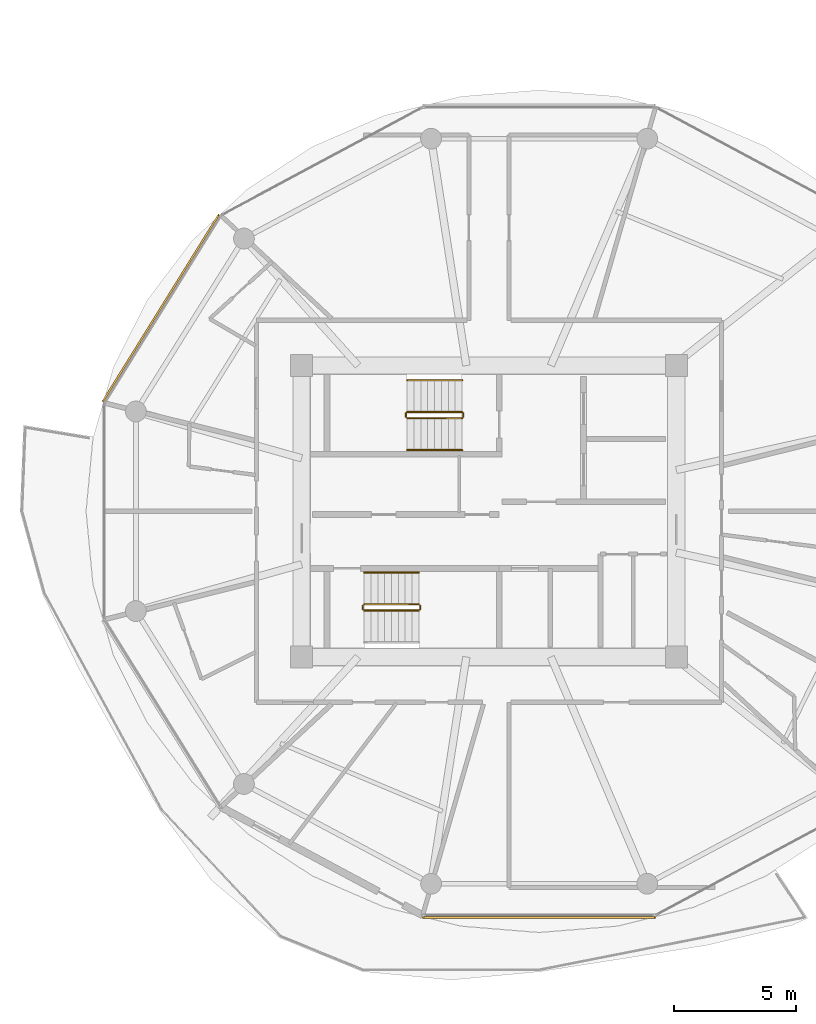
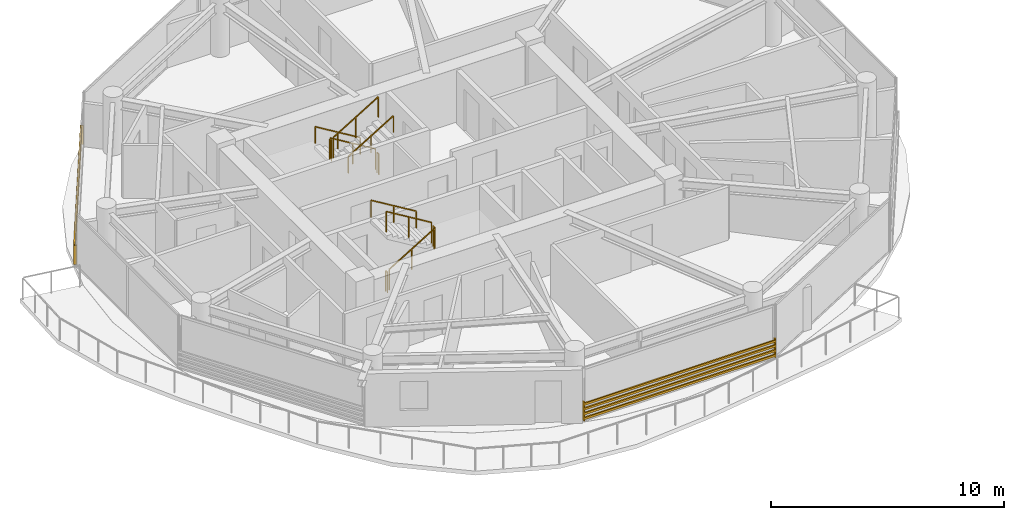
# One storey, part 21 of 24: 11 railings, 2 shading devices.
"""IFC4 building model written with IfcOpenShell, lengths in metres."""

from ifc_helpers import new_model, si_unit, direction, frame, origin, origin_2d, place, context, subcontext, project, spatial, rectangle, extrude, source, transform, mapped, material, type_object, type_shapes, element, save


model = new_model("IFC4")

# Units and contexts
model_context = context("Model", 3, precision=1e-05, world=origin(), true_north=direction((0.0, 1.0)))
body_context = subcontext(model_context, "Body", "Model", "MODEL_VIEW")
ifc_project = project(units=[si_unit("LENGTHUNIT", "METRE"), si_unit("AREAUNIT", "SQUARE_METRE"), si_unit("VOLUMEUNIT", "CUBIC_METRE"), si_unit("PLANEANGLEUNIT", "RADIAN"), si_unit("MASSUNIT", "GRAM", prefix="KILO")], contexts=[model_context])

# Site, building, storey
site_placement = place(None, origin())
site = spatial("IfcSite", under=ifc_project, at=site_placement, CompositionType="ELEMENT")
building_placement = place(site_placement, origin())
building = spatial("IfcBuilding", under=site, at=building_placement, Name="Norrkilde Senior Care Towers", CompositionType="ELEMENT")
storey_placement = place(building_placement, frame((0.0, 0.0, 105.39990234375)))
storey = spatial("IfcBuildingStorey", under=building, at=storey_placement, Name="L32", CompositionType="ELEMENT", Elevation=105.39990234375)

# Railings
ifc_material_1 = material(Name="Stainless Steel", Category="steel")
railing_type_1 = type_object("IfcRailingType", Name="Stair and Terrace Guardrail 1100", PredefinedType="GUARDRAIL", material=ifc_material_1)
railing_1_placement = place(storey_placement, frame((-29.10009765625, 4.050048828125, 0.16943359375)))
element("IfcRailing", 1, at=railing_1_placement, inside=storey, type_object=railing_type_1, Name="L32 ST-W1 stair guard 1", PredefinedType="GUARDRAIL", context=body_context, shape_type="SweptSolid", body=[
    extrude(rectangle(XDim=0.048095703125, YDim=0.048095703125, at=origin_2d()), frame((0.0, 0.0, 1.076171875), z_axis=(-0.855512035549, 0.0, 0.517782924622), x_axis=(0.0, -1.0, 0.0)), (0.0, 0.0, 1.0), 2.618408203125),
    extrude(rectangle(XDim=0.0419921875, YDim=0.0419921875, at=origin_2d()), origin(), (0.0, 0.0, 1.0), 1.050048828125),
    extrude(rectangle(XDim=0.0419921875, YDim=0.0419921875, at=origin_2d()), frame((-1.1201171875, 0.0, 0.677734375)), (0.0, 0.0, 1.0), 1.050048828125),
    extrude(rectangle(XDim=0.0419921875, YDim=0.0419921875, at=origin_2d()), frame((-2.239990234375, 0.0, 1.355712890625)), (0.0, 0.0, 1.0), 1.050048828125),
])
railing_2_placement = place(storey_placement, frame((-31.389892578125, 4.0, 1.525146484375)))
element("IfcRailing", 2, at=railing_2_placement, inside=storey, type_object=railing_type_1, Name="L32 ST-W1 stair guard 2", PredefinedType="GUARDRAIL", context=body_context, shape_type="SweptSolid", body=[
    extrude(rectangle(XDim=0.048095703125, YDim=0.048095703125, at=origin_2d()), frame((0.0, 0.0, 1.076171875), z_axis=(0.0, -1.0, 0.0), x_axis=(1.0, 0.0, 0.0)), (0.0, 0.0, 1.0), 0.14990234375),
    extrude(rectangle(XDim=0.0419921875, YDim=0.0419921875, at=origin_2d()), origin(), (0.0, 0.0, 1.0), 1.050048828125),
    extrude(rectangle(XDim=0.0419921875, YDim=0.0419921875, at=origin_2d()), frame((0.0, -0.14990234375, 0.0)), (0.0, 0.0, 1.0), 1.050048828125),
])
railing_3_placement = place(storey_placement, frame((-31.340087890625, 3.800048828125, 1.694580078125)))
element("IfcRailing", 3, at=railing_3_placement, inside=storey, type_object=railing_type_1, Name="L32 ST-W1 stair guard 3", PredefinedType="GUARDRAIL", context=body_context, shape_type="SweptSolid", body=[
    extrude(rectangle(XDim=0.048095703125, YDim=0.048095703125, at=origin_2d()), frame((0.0, 0.0, 1.076171875), z_axis=(0.855553338991, 0.0, 0.51771467445), x_axis=(0.0, 1.0, 0.0)), (0.0, 0.0, 1.0), 2.6181640625),
    extrude(rectangle(XDim=0.0419921875, YDim=0.0419921875, at=origin_2d()), origin(), (0.0, 0.0, 1.0), 1.050048828125),
    extrude(rectangle(XDim=0.0419921875, YDim=0.0419921875, at=origin_2d()), frame((1.1201171875, 0.0, 0.677734375)), (0.0, 0.0, 1.0), 1.050048828125),
    extrude(rectangle(XDim=0.0419921875, YDim=0.0419921875, at=origin_2d()), frame((2.239990234375, 0.0, 1.35546875)), (0.0, 0.0, 1.0), 1.050048828125),
])
railing_4_placement = place(storey_placement, frame((-29.050048828125, 4.0, 0.0)))
element("IfcRailing", 4, at=railing_4_placement, inside=storey, type_object=railing_type_1, Name="L32 ST-W1 stair guard 4", PredefinedType="GUARDRAIL", context=body_context, shape_type="SweptSolid", body=[
    extrude(rectangle(XDim=0.048095703125, YDim=0.048095703125, at=origin_2d()), frame((0.0, 0.0, 1.076171875), z_axis=(0.0, -1.0, 0.0), x_axis=(1.0, 0.0, 0.0)), (0.0, 0.0, 1.0), 0.14990234375),
    extrude(rectangle(XDim=0.0419921875, YDim=0.0419921875, at=origin_2d()), origin(), (0.0, 0.0, 1.0), 1.050048828125),
    extrude(rectangle(XDim=0.0419921875, YDim=0.0419921875, at=origin_2d()), frame((0.0, -0.14990234375, 0.0)), (0.0, 0.0, 1.0), 1.050048828125),
])
railing_5_placement = place(storey_placement, frame((-33.10009765625, -4.050048828125, 0.16943359375)))
element("IfcRailing", 5, at=railing_5_placement, inside=storey, type_object=railing_type_1, Name="L32 ST-W2 stair guard 1", PredefinedType="GUARDRAIL", context=body_context, shape_type="SweptSolid", body=[
    extrude(rectangle(XDim=0.048095703125, YDim=0.048095703125, at=origin_2d()), frame((0.0, 0.0, 1.076171875), z_axis=(0.855512035549, 0.0, 0.517782924622), x_axis=(0.0, 1.0, 0.0)), (0.0, 0.0, 1.0), 2.618408203125),
    extrude(rectangle(XDim=0.0419921875, YDim=0.0419921875, at=origin_2d()), origin(), (0.0, 0.0, 1.0), 1.050048828125),
    extrude(rectangle(XDim=0.0419921875, YDim=0.0419921875, at=origin_2d()), frame((1.1201171875, 0.0, 0.677734375)), (0.0, 0.0, 1.0), 1.050048828125),
    extrude(rectangle(XDim=0.0419921875, YDim=0.0419921875, at=origin_2d()), frame((2.239990234375, 0.0, 1.355712890625)), (0.0, 0.0, 1.0), 1.050048828125),
])
railing_6_placement = place(storey_placement, frame((-30.81005859375, -4.0, 1.525146484375)))
element("IfcRailing", 6, at=railing_6_placement, inside=storey, type_object=railing_type_1, Name="L32 ST-W2 stair guard 2", PredefinedType="GUARDRAIL", context=body_context, shape_type="SweptSolid", body=[
    extrude(rectangle(XDim=0.048095703125, YDim=0.048095703125, at=origin_2d()), frame((0.0, 0.0, 1.076171875), z_axis=(0.0, 1.0, 0.0), x_axis=(-1.0, 0.0, 0.0)), (0.0, 0.0, 1.0), 0.14990234375),
    extrude(rectangle(XDim=0.0419921875, YDim=0.0419921875, at=origin_2d()), origin(), (0.0, 0.0, 1.0), 1.050048828125),
    extrude(rectangle(XDim=0.0419921875, YDim=0.0419921875, at=origin_2d()), frame((0.0, 0.14990234375, 0.0)), (0.0, 0.0, 1.0), 1.050048828125),
])
railing_7_placement = place(storey_placement, frame((-30.860107421875, -3.800048828125, 1.694580078125)))
element("IfcRailing", 7, at=railing_7_placement, inside=storey, type_object=railing_type_1, Name="L32 ST-W2 stair guard 3", PredefinedType="GUARDRAIL", context=body_context, shape_type="SweptSolid", body=[
    extrude(rectangle(XDim=0.048095703125, YDim=0.048095703125, at=origin_2d()), frame((0.0, 0.0, 1.076171875), z_axis=(-0.855553338991, 0.0, 0.51771467445), x_axis=(0.0, -1.0, 0.0)), (0.0, 0.0, 1.0), 2.6181640625),
    extrude(rectangle(XDim=0.0419921875, YDim=0.0419921875, at=origin_2d()), origin(), (0.0, 0.0, 1.0), 1.050048828125),
    extrude(rectangle(XDim=0.0419921875, YDim=0.0419921875, at=origin_2d()), frame((-1.1201171875, 0.0, 0.677734375)), (0.0, 0.0, 1.0), 1.050048828125),
    extrude(rectangle(XDim=0.0419921875, YDim=0.0419921875, at=origin_2d()), frame((-2.239990234375, 0.0, 1.35546875)), (0.0, 0.0, 1.0), 1.050048828125),
])
railing_8_placement = place(storey_placement, frame((-33.14990234375, -4.0, 0.0)))
element("IfcRailing", 8, at=railing_8_placement, inside=storey, type_object=railing_type_1, Name="L32 ST-W2 stair guard 4", PredefinedType="GUARDRAIL", context=body_context, shape_type="SweptSolid", body=[
    extrude(rectangle(XDim=0.048095703125, YDim=0.048095703125, at=origin_2d()), frame((0.0, 0.0, 1.076171875), z_axis=(0.0, 1.0, 0.0), x_axis=(-1.0, 0.0, 0.0)), (0.0, 0.0, 1.0), 0.14990234375),
    extrude(rectangle(XDim=0.0419921875, YDim=0.0419921875, at=origin_2d()), origin(), (0.0, 0.0, 1.0), 1.050048828125),
    extrude(rectangle(XDim=0.0419921875, YDim=0.0419921875, at=origin_2d()), frame((0.0, 0.14990234375, 0.0)), (0.0, 0.0, 1.0), 1.050048828125),
])
ifc_material_2 = material(Name="Nordic Ash Timber", Category="wood")
railing_type_2 = type_object("IfcRailingType", Name="Wall and Stair Handrail 900", PredefinedType="HANDRAIL", material=ifc_material_2)
railing_9_placement = place(storey_placement, frame((-29.10009765625, 5.35009765625, 0.16943359375)))
element("IfcRailing", 9, at=railing_9_placement, inside=storey, type_object=railing_type_2, Name="L32 ST-W1 stair handrail 1", PredefinedType="HANDRAIL", context=body_context, shape_type="SweptSolid", body=[
    extrude(rectangle(XDim=0.048095703125, YDim=0.048095703125, at=origin_2d()), frame((0.0, 0.0, 0.8759765625), z_axis=(-0.855512035549, 0.0, 0.517782924622), x_axis=(0.0, -1.0, 0.0)), (0.0, 0.0, 1.0), 2.618408203125),
    extrude(rectangle(XDim=0.0419921875, YDim=0.0419921875, at=origin_2d()), origin(), (0.0, 0.0, 1.0), 0.849853515625),
    extrude(rectangle(XDim=0.0419921875, YDim=0.0419921875, at=origin_2d()), frame((-1.1201171875, 0.0, 0.677734375)), (0.0, 0.0, 1.0), 0.849853515625),
    extrude(rectangle(XDim=0.0419921875, YDim=0.0419921875, at=origin_2d()), frame((-2.239990234375, 0.0, 1.355712890625)), (0.0, 0.0, 1.0), 0.849853515625),
])
railing_10_placement = place(storey_placement, frame((-31.340087890625, 2.5, 1.694580078125)))
element("IfcRailing", 10, at=railing_10_placement, inside=storey, type_object=railing_type_2, Name="L32 ST-W1 stair handrail 2", PredefinedType="HANDRAIL", context=body_context, shape_type="SweptSolid", body=[
    extrude(rectangle(XDim=0.048095703125, YDim=0.048095703125, at=origin_2d()), frame((0.0, 0.0, 0.8759765625), z_axis=(0.855553338991, 0.0, 0.51771467445), x_axis=(0.0, 1.0, 0.0)), (0.0, 0.0, 1.0), 2.6181640625),
    extrude(rectangle(XDim=0.0419921875, YDim=0.0419921875, at=origin_2d()), origin(), (0.0, 0.0, 1.0), 0.849853515625),
    extrude(rectangle(XDim=0.0419921875, YDim=0.0419921875, at=origin_2d()), frame((1.1201171875, 0.0, 0.677734375)), (0.0, 0.0, 1.0), 0.849853515625),
    extrude(rectangle(XDim=0.0419921875, YDim=0.0419921875, at=origin_2d()), frame((2.239990234375, 0.0, 1.35546875)), (0.0, 0.0, 1.0), 0.849853515625),
])
railing_11_placement = place(storey_placement, frame((-30.860107421875, -2.5, 1.694580078125)))
element("IfcRailing", 11, at=railing_11_placement, inside=storey, type_object=railing_type_2, Name="L32 ST-W2 stair handrail 2", PredefinedType="HANDRAIL", context=body_context, shape_type="SweptSolid", body=[
    extrude(rectangle(XDim=0.048095703125, YDim=0.048095703125, at=origin_2d()), frame((0.0, 0.0, 0.8759765625), z_axis=(-0.855553338991, 0.0, 0.51771467445), x_axis=(0.0, -1.0, 0.0)), (0.0, 0.0, 1.0), 2.6181640625),
    extrude(rectangle(XDim=0.0419921875, YDim=0.0419921875, at=origin_2d()), origin(), (0.0, 0.0, 1.0), 0.849853515625),
    extrude(rectangle(XDim=0.0419921875, YDim=0.0419921875, at=origin_2d()), frame((-1.1201171875, 0.0, 0.677734375)), (0.0, 0.0, 1.0), 0.849853515625),
    extrude(rectangle(XDim=0.0419921875, YDim=0.0419921875, at=origin_2d()), frame((-2.239990234375, 0.0, 1.35546875)), (0.0, 0.0, 1.0), 0.849853515625),
])

# Shading devices
ifc_material_3 = material(Name="Architectural Terracotta", Category="masonry")
shading_device_type = type_object("IfcShadingDeviceType", Name="Horizontal Terracotta Baguette Rack", PredefinedType="USERDEFINED", material=ifc_material_3)
shared_shape_1 = source(origin(), body_context, "Body", "SweptSolid", [
    extrude(rectangle(XDim=0.070068359375, YDim=0.110107421875, at=origin_2d()), frame((0.0, 0.090087890625, 0.125), z_axis=(1.0, 0.0, 0.0), x_axis=(0.0, 1.0, 0.0)), (0.0, 0.0, 1.0), 9.01416015625),
    extrude(rectangle(XDim=0.070068359375, YDim=0.110107421875, at=origin_2d()), frame((0.0, 0.090087890625, 0.375), z_axis=(1.0, 0.0, 0.0), x_axis=(0.0, 1.0, 0.0)), (0.0, 0.0, 1.0), 9.01416015625),
    extrude(rectangle(XDim=0.070068359375, YDim=0.110107421875, at=origin_2d()), frame((0.0, 0.090087890625, 0.625), z_axis=(1.0, 0.0, 0.0), x_axis=(0.0, 1.0, 0.0)), (0.0, 0.0, 1.0), 9.01416015625),
    extrude(rectangle(XDim=0.070068359375, YDim=0.110107421875, at=origin_2d()), frame((0.0, 0.090087890625, 0.875), z_axis=(1.0, 0.0, 0.0), x_axis=(0.0, 1.0, 0.0)), (0.0, 0.0, 1.0), 9.01416015625),
    extrude(rectangle(XDim=0.050048828125, YDim=0.1552734375, at=origin_2d()), frame((0.02490234375, 0.047607421875, 0.0)), (0.0, 0.0, 1.0), 1.0),
    extrude(rectangle(XDim=0.050048828125, YDim=0.1552734375, at=origin_2d()), frame((8.9892578125, 0.047607421875, 0.0)), (0.0, 0.0, 1.0), 1.0),
])
shading_device_1_placement = place(storey_placement, frame((-43.70361328125, 4.420654296875, 0.080078125), z_axis=(0.0, 0.0, 1.0), x_axis=(0.527734142246, 0.849412274525, 0.0)))
element("IfcShadingDevice", 12, at=shading_device_1_placement, inside=storey, type_object=shading_device_type, Name="L32 Drum W Terracotta Baguette Screen 04", ObjectType="BAGUETTE", PredefinedType="USERDEFINED", context=body_context, shape_type="MappedRepresentation", body=[
    mapped(shared_shape_1, transform((0.0, 0.0, 0.0), x_axis=(1.0, 0.0, 0.0), y_axis=(0.0, 1.0, 0.0), z_axis=(0.0, 0.0, 1.0), scale=1.0)),
])
shared_shape_2 = source(origin(), body_context, "Body", "SweptSolid", [
    extrude(rectangle(XDim=0.070068359375, YDim=0.110107421875, at=origin_2d()), frame((0.0, 0.090087890625, 0.125), z_axis=(1.0, 0.0, 0.0), x_axis=(0.0, 1.0, 0.0)), (0.0, 0.0, 1.0), 9.51416015625),
    extrude(rectangle(XDim=0.070068359375, YDim=0.110107421875, at=origin_2d()), frame((0.0, 0.090087890625, 0.375), z_axis=(1.0, 0.0, 0.0), x_axis=(0.0, 1.0, 0.0)), (0.0, 0.0, 1.0), 9.51416015625),
    extrude(rectangle(XDim=0.070068359375, YDim=0.110107421875, at=origin_2d()), frame((0.0, 0.090087890625, 0.625), z_axis=(1.0, 0.0, 0.0), x_axis=(0.0, 1.0, 0.0)), (0.0, 0.0, 1.0), 9.51416015625),
    extrude(rectangle(XDim=0.070068359375, YDim=0.110107421875, at=origin_2d()), frame((0.0, 0.090087890625, 0.875), z_axis=(1.0, 0.0, 0.0), x_axis=(0.0, 1.0, 0.0)), (0.0, 0.0, 1.0), 9.51416015625),
    extrude(rectangle(XDim=0.050048828125, YDim=0.1552734375, at=origin_2d()), frame((0.02490234375, 0.047607421875, 0.0)), (0.0, 0.0, 1.0), 1.0),
    extrude(rectangle(XDim=0.050048828125, YDim=0.1552734375, at=origin_2d()), frame((9.4892578125, 0.047607421875, 0.0)), (0.0, 0.0, 1.0), 1.0),
])
type_shapes(shading_device_type, [shared_shape_1, shared_shape_2])
shading_device_2_placement = place(storey_placement, frame((-21.19287109375, -16.498046875, 0.080078125), z_axis=(0.0, 0.0, 1.0), x_axis=(-1.0, 0.0, 0.0)))
element("IfcShadingDevice", 13, at=shading_device_2_placement, inside=storey, type_object=shading_device_type, Name="L32 Drum W Terracotta Baguette Screen 08", ObjectType="BAGUETTE", PredefinedType="USERDEFINED", context=body_context, shape_type="MappedRepresentation", body=[
    mapped(shared_shape_2, transform((0.0, 0.0, 0.0), x_axis=(1.0, 0.0, 0.0), y_axis=(0.0, 1.0, 0.0), z_axis=(0.0, 0.0, 1.0), scale=1.0)),
])

save(model, "model.ifc")
